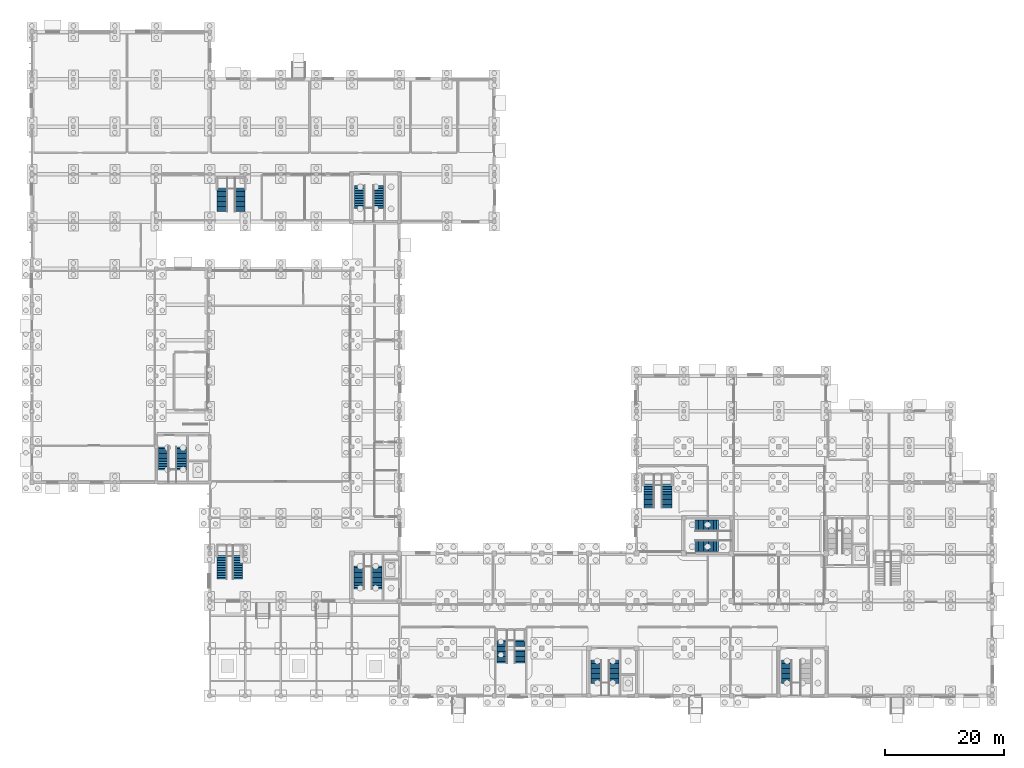
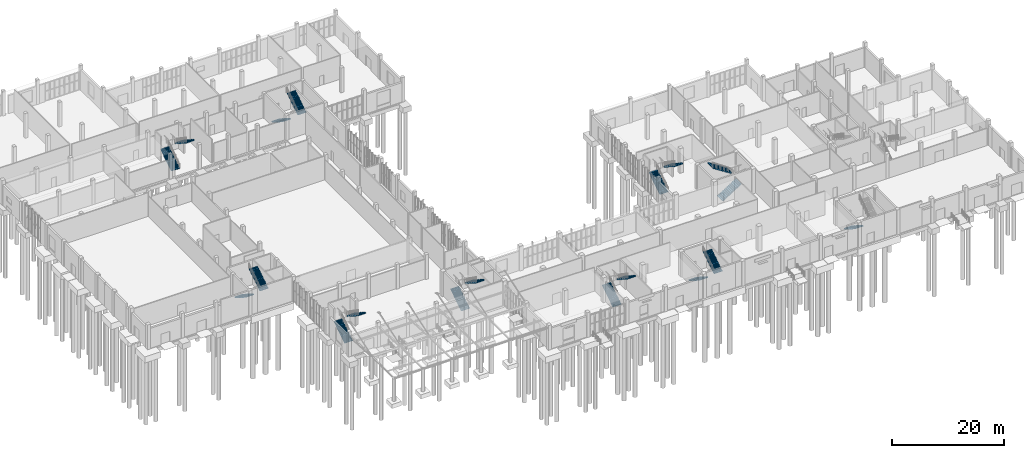
# One storey, part 52 of 69: 19 stair flights, 10 elements without a shape of their own.
"""IFC4 building model written with IfcOpenShell, lengths in metres."""

from ifc_helpers import new_model, si_unit, direction, frame, origin, place, context, subcontext, project, spatial, polyline, outline, extrude, material, type_object, element, aggregate, save


model = new_model("IFC4")

# Units and contexts
model_context = context("Model", 3, precision=1e-05, world=origin(), true_north=direction((0.0, 1.0)))
body_context = subcontext(model_context, "Body", "Model", "MODEL_VIEW")
ifc_project = project(units=[si_unit("LENGTHUNIT", "METRE"), si_unit("AREAUNIT", "SQUARE_METRE"), si_unit("VOLUMEUNIT", "CUBIC_METRE"), si_unit("PLANEANGLEUNIT", "RADIAN"), si_unit("MASSUNIT", "GRAM", prefix="KILO")], contexts=[model_context])

# Site, building, storey
site_placement = place(None, origin())
site = spatial("IfcSite", under=ifc_project, at=site_placement, CompositionType="ELEMENT")
building_placement = place(site_placement, origin())
building = spatial("IfcBuilding", under=site, at=building_placement, Name="Solvane Community Centre", CompositionType="ELEMENT")
storey_placement = place(building_placement, origin())
storey = spatial("IfcBuildingStorey", under=building, at=storey_placement, Name="L00", CompositionType="ELEMENT", Elevation=0.0)

# Stair, stair flights
ifc_material = material(Name="Concrete C35/45", Category="concrete")
stair_type_1 = type_object("IfcStairType", Name="RC Two-Flight Escape Stair 1640mm", PredefinedType="TWO_STRAIGHT_RUN_STAIR", material=ifc_material)
stair_1_placement = place(storey_placement, origin())
stair_1 = element("IfcStair", 1, at=stair_1_placement, inside=storey, type_object=stair_type_1, Name="Stair STR-FOY-L00", PredefinedType="TWO_STRAIGHT_RUN_STAIR")
stair_flight_type_1 = type_object("IfcStairFlightType", Name="RC Straight Stair Flight 1640mm", PredefinedType="STRAIGHT", material=ifc_material)
stair_flight_1_placement = place(storey_placement, frame((38.06005859375, 25.699951171875, 0.0), z_axis=(0.0, 0.0, 1.0), x_axis=(0.0, 1.0, 0.0)))
stair_flight_1 = element("IfcStairFlight", 2, at=stair_flight_1_placement, type_object=stair_flight_type_1, Name="ST-08 flight 1", NumberOfRisers=15, NumberOfTreads=14, PredefinedType="STRAIGHT", RiserHeight=0.18, TreadLength=0.28, context=body_context, shape_type="SweptSolid", body=[
    extrude(outline(polyline([(0.0, 0.0), (0.0, 0.179931640625), (0.280029296875, 0.179931640625), (0.280029296875, 0.360107421875), (0.56005859375, 0.360107421875), (0.56005859375, 0.5400390625), (0.840087890625, 0.5400390625), (0.840087890625, 0.719970703125), (1.1201171875, 0.719970703125), (1.1201171875, 0.89990234375), (1.39990234375, 0.89990234375), (1.39990234375, 1.080078125), (1.679931640625, 1.080078125), (1.679931640625, 1.260009765625), (1.9599609375, 1.260009765625), (1.9599609375, 1.43994140625), (2.239990234375, 1.43994140625), (2.239990234375, 1.6201171875), (2.52001953125, 1.6201171875), (2.52001953125, 1.800048828125), (2.800048828125, 1.800048828125), (2.800048828125, 1.97998046875), (3.080078125, 1.97998046875), (3.080078125, 2.159912109375), (3.360107421875, 2.159912109375), (3.360107421875, 2.340087890625), (3.639892578125, 2.340087890625), (3.639892578125, 2.52001953125), (3.919921875, 2.52001953125), (3.919921875, 2.699951171875), (3.919921875, 2.329833984375), (0.295654296875, 0.0), (0.0, 0.0)])), frame((0.0, 0.81982421875, 0.0), z_axis=(0.0, -1.0, 0.0), x_axis=(1.0, 0.0, 0.0)), (0.0, 0.0, 1.0), 1.639892578125),
])
stair_flight_2_placement = place(storey_placement, frame((40.739990234375, 29.6201171875, 2.699951171875), z_axis=(0.0, 0.0, 1.0), x_axis=(0.0, -1.0, 0.0)))
stair_flight_2 = element("IfcStairFlight", 3, at=stair_flight_2_placement, type_object=stair_flight_type_1, Name="ST-08 flight 2", NumberOfRisers=15, NumberOfTreads=14, PredefinedType="STRAIGHT", RiserHeight=0.18, TreadLength=0.28, context=body_context, shape_type="SweptSolid", body=[
    extrude(outline(polyline([(0.0, 0.0), (0.0, 0.179931640625), (0.280029296875, 0.179931640625), (0.280029296875, 0.360107421875), (0.56005859375, 0.360107421875), (0.56005859375, 0.5400390625), (0.840087890625, 0.5400390625), (0.840087890625, 0.719970703125), (1.1201171875, 0.719970703125), (1.1201171875, 0.89990234375), (1.39990234375, 0.89990234375), (1.39990234375, 1.080078125), (1.679931640625, 1.080078125), (1.679931640625, 1.260009765625), (1.9599609375, 1.260009765625), (1.9599609375, 1.43994140625), (2.239990234375, 1.43994140625), (2.239990234375, 1.6201171875), (2.52001953125, 1.6201171875), (2.52001953125, 1.800048828125), (2.800048828125, 1.800048828125), (2.800048828125, 1.97998046875), (3.080078125, 1.97998046875), (3.080078125, 2.159912109375), (3.360107421875, 2.159912109375), (3.360107421875, 2.340087890625), (3.639892578125, 2.340087890625), (3.639892578125, 2.52001953125), (3.919921875, 2.52001953125), (3.919921875, 2.699951171875), (3.919921875, 2.329833984375), (0.295654296875, 0.0), (0.0, 0.0)])), frame((0.0, 0.81982421875, 0.0), z_axis=(0.0, -1.0, 0.0), x_axis=(1.0, 0.0, 0.0)), (0.0, 0.0, 1.0), 1.639892578125),
])
aggregate(stair_1, [stair_flight_1, stair_flight_2])

stair_type_2 = type_object("IfcStairType", Name="RC Two-Flight Escape Stair 1720mm", PredefinedType="TWO_STRAIGHT_RUN_STAIR", material=ifc_material)
stair_2_placement = place(storey_placement, origin())
stair_2 = element("IfcStair", 4, at=stair_2_placement, inside=storey, type_object=stair_type_2, Name="Stair STR-C1-L00", PredefinedType="TWO_STRAIGHT_RUN_STAIR")
stair_flight_type_2 = type_object("IfcStairFlightType", Name="RC Straight Stair Flight 1720mm", PredefinedType="STRAIGHT", material=ifc_material)
stair_flight_3_placement = place(storey_placement, frame((61.199951171875, 24.0, 0.0), z_axis=(0.0, 0.0, 1.0), x_axis=(0.0, 1.0, 0.0)))
stair_flight_3 = element("IfcStairFlight", 5, at=stair_flight_3_placement, type_object=stair_flight_type_2, Name="ST-01 flight 1", NumberOfRisers=15, NumberOfTreads=14, PredefinedType="STRAIGHT", RiserHeight=0.18, TreadLength=0.28, context=body_context, shape_type="SweptSolid", body=[
    extrude(outline(polyline([(0.0, 0.0), (0.0, 0.179931640625), (0.280029296875, 0.179931640625), (0.280029296875, 0.360107421875), (0.56005859375, 0.360107421875), (0.56005859375, 0.5400390625), (0.840087890625, 0.5400390625), (0.840087890625, 0.719970703125), (1.1201171875, 0.719970703125), (1.1201171875, 0.89990234375), (1.39990234375, 0.89990234375), (1.39990234375, 1.080078125), (1.679931640625, 1.080078125), (1.679931640625, 1.260009765625), (1.9599609375, 1.260009765625), (1.9599609375, 1.43994140625), (2.239990234375, 1.43994140625), (2.239990234375, 1.6201171875), (2.52001953125, 1.6201171875), (2.52001953125, 1.800048828125), (2.800048828125, 1.800048828125), (2.800048828125, 1.97998046875), (3.080078125, 1.97998046875), (3.080078125, 2.159912109375), (3.360107421875, 2.159912109375), (3.360107421875, 2.340087890625), (3.639892578125, 2.340087890625), (3.639892578125, 2.52001953125), (3.919921875, 2.52001953125), (3.919921875, 2.699951171875), (3.919921875, 2.329833984375), (0.295654296875, 0.0), (0.0, 0.0)])), frame((0.0, 0.85986328125, 0.0), z_axis=(0.0, -1.0, 0.0), x_axis=(1.0, 0.0, 0.0)), (0.0, 0.0, 1.0), 1.719970703125),
])
stair_flight_4_placement = place(storey_placement, frame((64.199951171875, 27.919921875, 2.699951171875), z_axis=(0.0, 0.0, 1.0), x_axis=(0.0, -1.0, 0.0)))
stair_flight_4 = element("IfcStairFlight", 6, at=stair_flight_4_placement, type_object=stair_flight_type_2, Name="ST-01 flight 2", NumberOfRisers=15, NumberOfTreads=14, PredefinedType="STRAIGHT", RiserHeight=0.18, TreadLength=0.28, context=body_context, shape_type="SweptSolid", body=[
    extrude(outline(polyline([(0.0, 0.0), (0.0, 0.179931640625), (0.280029296875, 0.179931640625), (0.280029296875, 0.360107421875), (0.56005859375, 0.360107421875), (0.56005859375, 0.5400390625), (0.840087890625, 0.5400390625), (0.840087890625, 0.719970703125), (1.1201171875, 0.719970703125), (1.1201171875, 0.89990234375), (1.39990234375, 0.89990234375), (1.39990234375, 1.080078125), (1.679931640625, 1.080078125), (1.679931640625, 1.260009765625), (1.9599609375, 1.260009765625), (1.9599609375, 1.43994140625), (2.239990234375, 1.43994140625), (2.239990234375, 1.6201171875), (2.52001953125, 1.6201171875), (2.52001953125, 1.800048828125), (2.800048828125, 1.800048828125), (2.800048828125, 1.97998046875), (3.080078125, 1.97998046875), (3.080078125, 2.159912109375), (3.360107421875, 2.159912109375), (3.360107421875, 2.340087890625), (3.639892578125, 2.340087890625), (3.639892578125, 2.52001953125), (3.919921875, 2.52001953125), (3.919921875, 2.699951171875), (3.919921875, 2.329833984375), (0.295654296875, 0.0), (0.0, 0.0)])), frame((0.0, 0.85986328125, 0.0), z_axis=(0.0, -1.0, 0.0), x_axis=(1.0, 0.0, 0.0)), (0.0, 0.0, 1.0), 1.719970703125),
])
aggregate(stair_2, [stair_flight_3, stair_flight_4])

stair_3_placement = place(storey_placement, origin())
stair_3 = element("IfcStair", 7, at=stair_3_placement, inside=storey, type_object=stair_type_2, Name="Stair STR-C2-L00", PredefinedType="TWO_STRAIGHT_RUN_STAIR")
stair_flight_5_placement = place(storey_placement, frame((101.199951171875, 12.0, 0.0), z_axis=(0.0, 0.0, 1.0), x_axis=(0.0, -1.0, 0.0)))
stair_flight_5 = element("IfcStairFlight", 8, at=stair_flight_5_placement, type_object=stair_flight_type_2, Name="ST-02 flight 1", NumberOfRisers=15, NumberOfTreads=14, PredefinedType="STRAIGHT", RiserHeight=0.18, TreadLength=0.28, context=body_context, shape_type="SweptSolid", body=[
    extrude(outline(polyline([(0.0, 0.0), (0.0, 0.179931640625), (0.280029296875, 0.179931640625), (0.280029296875, 0.360107421875), (0.56005859375, 0.360107421875), (0.56005859375, 0.5400390625), (0.840087890625, 0.5400390625), (0.840087890625, 0.719970703125), (1.1201171875, 0.719970703125), (1.1201171875, 0.89990234375), (1.39990234375, 0.89990234375), (1.39990234375, 1.080078125), (1.679931640625, 1.080078125), (1.679931640625, 1.260009765625), (1.9599609375, 1.260009765625), (1.9599609375, 1.43994140625), (2.239990234375, 1.43994140625), (2.239990234375, 1.6201171875), (2.52001953125, 1.6201171875), (2.52001953125, 1.800048828125), (2.800048828125, 1.800048828125), (2.800048828125, 1.97998046875), (3.080078125, 1.97998046875), (3.080078125, 2.159912109375), (3.360107421875, 2.159912109375), (3.360107421875, 2.340087890625), (3.639892578125, 2.340087890625), (3.639892578125, 2.52001953125), (3.919921875, 2.52001953125), (3.919921875, 2.699951171875), (3.919921875, 2.329833984375), (0.295654296875, 0.0), (0.0, 0.0)])), frame((0.0, 0.85986328125, 0.0), z_axis=(0.0, -1.0, 0.0), x_axis=(1.0, 0.0, 0.0)), (0.0, 0.0, 1.0), 1.719970703125),
])
stair_flight_6_placement = place(storey_placement, frame((104.199951171875, 8.080078125, 2.699951171875), z_axis=(0.0, 0.0, 1.0), x_axis=(0.0, 1.0, 0.0)))
stair_flight_6 = element("IfcStairFlight", 9, at=stair_flight_6_placement, type_object=stair_flight_type_2, Name="ST-02 flight 2", NumberOfRisers=15, NumberOfTreads=14, PredefinedType="STRAIGHT", RiserHeight=0.18, TreadLength=0.28, context=body_context, shape_type="SweptSolid", body=[
    extrude(outline(polyline([(0.0, 0.0), (0.0, 0.179931640625), (0.280029296875, 0.179931640625), (0.280029296875, 0.360107421875), (0.56005859375, 0.360107421875), (0.56005859375, 0.5400390625), (0.840087890625, 0.5400390625), (0.840087890625, 0.719970703125), (1.1201171875, 0.719970703125), (1.1201171875, 0.89990234375), (1.39990234375, 0.89990234375), (1.39990234375, 1.080078125), (1.679931640625, 1.080078125), (1.679931640625, 1.260009765625), (1.9599609375, 1.260009765625), (1.9599609375, 1.43994140625), (2.239990234375, 1.43994140625), (2.239990234375, 1.6201171875), (2.52001953125, 1.6201171875), (2.52001953125, 1.800048828125), (2.800048828125, 1.800048828125), (2.800048828125, 1.97998046875), (3.080078125, 1.97998046875), (3.080078125, 2.159912109375), (3.360107421875, 2.159912109375), (3.360107421875, 2.340087890625), (3.639892578125, 2.340087890625), (3.639892578125, 2.52001953125), (3.919921875, 2.52001953125), (3.919921875, 2.699951171875), (3.919921875, 2.329833984375), (0.295654296875, 0.0), (0.0, 0.0)])), frame((0.0, 0.85986328125, 0.0), z_axis=(0.0, -1.0, 0.0), x_axis=(1.0, 0.0, 0.0)), (0.0, 0.0, 1.0), 1.719970703125),
])
aggregate(stair_3, [stair_flight_5, stair_flight_6])

# Stair, stair flight
stair_4_placement = place(storey_placement, origin())
stair_4 = element("IfcStair", 10, at=stair_4_placement, inside=storey, type_object=stair_type_2, Name="Stair STR-C3-L00", PredefinedType="TWO_STRAIGHT_RUN_STAIR")
stair_flight_7_placement = place(storey_placement, frame((133.300048828125, 12.0, 0.0), z_axis=(0.0, 0.0, 1.0), x_axis=(0.0, -1.0, 0.0)))
stair_flight_7 = element("IfcStairFlight", 11, at=stair_flight_7_placement, type_object=stair_flight_type_2, Name="ST-05 flight 1", NumberOfRisers=15, NumberOfTreads=14, PredefinedType="STRAIGHT", RiserHeight=0.18, TreadLength=0.28, context=body_context, shape_type="SweptSolid", body=[
    extrude(outline(polyline([(0.0, 0.0), (0.0, 0.179931640625), (0.280029296875, 0.179931640625), (0.280029296875, 0.360107421875), (0.56005859375, 0.360107421875), (0.56005859375, 0.5400390625), (0.840087890625, 0.5400390625), (0.840087890625, 0.719970703125), (1.1201171875, 0.719970703125), (1.1201171875, 0.89990234375), (1.39990234375, 0.89990234375), (1.39990234375, 1.080078125), (1.679931640625, 1.080078125), (1.679931640625, 1.260009765625), (1.9599609375, 1.260009765625), (1.9599609375, 1.43994140625), (2.239990234375, 1.43994140625), (2.239990234375, 1.6201171875), (2.52001953125, 1.6201171875), (2.52001953125, 1.800048828125), (2.800048828125, 1.800048828125), (2.800048828125, 1.97998046875), (3.080078125, 1.97998046875), (3.080078125, 2.159912109375), (3.360107421875, 2.159912109375), (3.360107421875, 2.340087890625), (3.639892578125, 2.340087890625), (3.639892578125, 2.52001953125), (3.919921875, 2.52001953125), (3.919921875, 2.699951171875), (3.919921875, 2.329833984375), (0.295654296875, 0.0), (0.0, 0.0)])), frame((0.0, 0.85986328125, 0.0), z_axis=(0.0, -1.0, 0.0), x_axis=(1.0, 0.0, 0.0)), (0.0, 0.0, 1.0), 1.719970703125),
])
aggregate(stair_4, [stair_flight_7])

# Stair, stair flights
stair_5_placement = place(storey_placement, origin())
stair_5 = element("IfcStair", 12, at=stair_5_placement, inside=storey, type_object=stair_type_2, Name="Stair STR-C5-L00", PredefinedType="TWO_STRAIGHT_RUN_STAIR")
stair_flight_8_placement = place(storey_placement, frame((28.199951171875, 48.0, 0.0), z_axis=(0.0, 0.0, 1.0), x_axis=(0.0, -1.0, 0.0)))
stair_flight_8 = element("IfcStairFlight", 13, at=stair_flight_8_placement, type_object=stair_flight_type_2, Name="ST-03 flight 1", NumberOfRisers=15, NumberOfTreads=14, PredefinedType="STRAIGHT", RiserHeight=0.18, TreadLength=0.28, context=body_context, shape_type="SweptSolid", body=[
    extrude(outline(polyline([(0.0, 0.0), (0.0, 0.179931640625), (0.280029296875, 0.179931640625), (0.280029296875, 0.360107421875), (0.56005859375, 0.360107421875), (0.56005859375, 0.5400390625), (0.840087890625, 0.5400390625), (0.840087890625, 0.719970703125), (1.1201171875, 0.719970703125), (1.1201171875, 0.89990234375), (1.39990234375, 0.89990234375), (1.39990234375, 1.080078125), (1.679931640625, 1.080078125), (1.679931640625, 1.260009765625), (1.9599609375, 1.260009765625), (1.9599609375, 1.43994140625), (2.239990234375, 1.43994140625), (2.239990234375, 1.6201171875), (2.52001953125, 1.6201171875), (2.52001953125, 1.800048828125), (2.800048828125, 1.800048828125), (2.800048828125, 1.97998046875), (3.080078125, 1.97998046875), (3.080078125, 2.159912109375), (3.360107421875, 2.159912109375), (3.360107421875, 2.340087890625), (3.639892578125, 2.340087890625), (3.639892578125, 2.52001953125), (3.919921875, 2.52001953125), (3.919921875, 2.699951171875), (3.919921875, 2.329833984375), (0.295654296875, 0.0), (0.0, 0.0)])), frame((0.0, 0.85986328125, 0.0), z_axis=(0.0, -1.0, 0.0), x_axis=(1.0, 0.0, 0.0)), (0.0, 0.0, 1.0), 1.719970703125),
])
stair_flight_9_placement = place(storey_placement, frame((31.199951171875, 44.080078125, 2.699951171875), z_axis=(0.0, 0.0, 1.0), x_axis=(0.0, 1.0, 0.0)))
stair_flight_9 = element("IfcStairFlight", 14, at=stair_flight_9_placement, type_object=stair_flight_type_2, Name="ST-03 flight 2", NumberOfRisers=15, NumberOfTreads=14, PredefinedType="STRAIGHT", RiserHeight=0.18, TreadLength=0.28, context=body_context, shape_type="SweptSolid", body=[
    extrude(outline(polyline([(0.0, 0.0), (0.0, 0.179931640625), (0.280029296875, 0.179931640625), (0.280029296875, 0.360107421875), (0.56005859375, 0.360107421875), (0.56005859375, 0.5400390625), (0.840087890625, 0.5400390625), (0.840087890625, 0.719970703125), (1.1201171875, 0.719970703125), (1.1201171875, 0.89990234375), (1.39990234375, 0.89990234375), (1.39990234375, 1.080078125), (1.679931640625, 1.080078125), (1.679931640625, 1.260009765625), (1.9599609375, 1.260009765625), (1.9599609375, 1.43994140625), (2.239990234375, 1.43994140625), (2.239990234375, 1.6201171875), (2.52001953125, 1.6201171875), (2.52001953125, 1.800048828125), (2.800048828125, 1.800048828125), (2.800048828125, 1.97998046875), (3.080078125, 1.97998046875), (3.080078125, 2.159912109375), (3.360107421875, 2.159912109375), (3.360107421875, 2.340087890625), (3.639892578125, 2.340087890625), (3.639892578125, 2.52001953125), (3.919921875, 2.52001953125), (3.919921875, 2.699951171875), (3.919921875, 2.329833984375), (0.295654296875, 0.0), (0.0, 0.0)])), frame((0.0, 0.85986328125, 0.0), z_axis=(0.0, -1.0, 0.0), x_axis=(1.0, 0.0, 0.0)), (0.0, 0.0, 1.0), 1.719970703125),
])
aggregate(stair_5, [stair_flight_8, stair_flight_9])

stair_6_placement = place(storey_placement, origin())
stair_6 = element("IfcStair", 15, at=stair_6_placement, inside=storey, type_object=stair_type_2, Name="Stair STR-C7-L00", PredefinedType="TWO_STRAIGHT_RUN_STAIR")
stair_flight_10_placement = place(storey_placement, frame((61.300048828125, 92.10009765625, 0.0), z_axis=(0.0, 0.0, 1.0), x_axis=(0.0, -1.0, 0.0)))
stair_flight_10 = element("IfcStairFlight", 16, at=stair_flight_10_placement, type_object=stair_flight_type_2, Name="ST-07 flight 1", NumberOfRisers=15, NumberOfTreads=14, PredefinedType="STRAIGHT", RiserHeight=0.18, TreadLength=0.28, context=body_context, shape_type="SweptSolid", body=[
    extrude(outline(polyline([(0.0, 0.0), (0.0, 0.179931640625), (0.280029296875, 0.179931640625), (0.280029296875, 0.360107421875), (0.56005859375, 0.360107421875), (0.56005859375, 0.5400390625), (0.840087890625, 0.5400390625), (0.840087890625, 0.719970703125), (1.1201171875, 0.719970703125), (1.1201171875, 0.89990234375), (1.39990234375, 0.89990234375), (1.39990234375, 1.080078125), (1.679931640625, 1.080078125), (1.679931640625, 1.260009765625), (1.9599609375, 1.260009765625), (1.9599609375, 1.43994140625), (2.239990234375, 1.43994140625), (2.239990234375, 1.6201171875), (2.52001953125, 1.6201171875), (2.52001953125, 1.800048828125), (2.800048828125, 1.800048828125), (2.800048828125, 1.97998046875), (3.080078125, 1.97998046875), (3.080078125, 2.159912109375), (3.360107421875, 2.159912109375), (3.360107421875, 2.340087890625), (3.639892578125, 2.340087890625), (3.639892578125, 2.52001953125), (3.919921875, 2.52001953125), (3.919921875, 2.699951171875), (3.919921875, 2.329833984375), (0.295654296875, 0.0), (0.0, 0.0)])), frame((0.0, 0.85986328125, 0.0), z_axis=(0.0, -1.0, 0.0), x_axis=(1.0, 0.0, 0.0)), (0.0, 0.0, 1.0), 1.719970703125),
])
stair_flight_11_placement = place(storey_placement, frame((64.5, 88.179931640625, 2.699951171875), z_axis=(0.0, 0.0, 1.0), x_axis=(0.0, 1.0, 0.0)))
stair_flight_11 = element("IfcStairFlight", 17, at=stair_flight_11_placement, type_object=stair_flight_type_2, Name="ST-07 flight 2", NumberOfRisers=15, NumberOfTreads=14, PredefinedType="STRAIGHT", RiserHeight=0.18, TreadLength=0.28, context=body_context, shape_type="SweptSolid", body=[
    extrude(outline(polyline([(0.0, 0.0), (0.0, 0.179931640625), (0.280029296875, 0.179931640625), (0.280029296875, 0.360107421875), (0.56005859375, 0.360107421875), (0.56005859375, 0.5400390625), (0.840087890625, 0.5400390625), (0.840087890625, 0.719970703125), (1.1201171875, 0.719970703125), (1.1201171875, 0.89990234375), (1.39990234375, 0.89990234375), (1.39990234375, 1.080078125), (1.679931640625, 1.080078125), (1.679931640625, 1.260009765625), (1.9599609375, 1.260009765625), (1.9599609375, 1.43994140625), (2.239990234375, 1.43994140625), (2.239990234375, 1.6201171875), (2.52001953125, 1.6201171875), (2.52001953125, 1.800048828125), (2.800048828125, 1.800048828125), (2.800048828125, 1.97998046875), (3.080078125, 1.97998046875), (3.080078125, 2.159912109375), (3.360107421875, 2.159912109375), (3.360107421875, 2.340087890625), (3.639892578125, 2.340087890625), (3.639892578125, 2.52001953125), (3.919921875, 2.52001953125), (3.919921875, 2.699951171875), (3.919921875, 2.329833984375), (0.295654296875, 0.0), (0.0, 0.0)])), frame((0.0, 0.85986328125, 0.0), z_axis=(0.0, -1.0, 0.0), x_axis=(1.0, 0.0, 0.0)), (0.0, 0.0, 1.0), 1.719970703125),
])
aggregate(stair_6, [stair_flight_10, stair_flight_11])

stair_7_placement = place(storey_placement, origin())
stair_7 = element("IfcStair", 18, at=stair_7_placement, inside=storey, type_object=stair_type_2, Name="Stair STR-LIB-L00", PredefinedType="TWO_STRAIGHT_RUN_STAIR")
stair_flight_12_placement = place(storey_placement, frame((85.300048828125, 11.5, 0.0), z_axis=(0.0, 0.0, 1.0), x_axis=(0.0, 1.0, 0.0)))
stair_flight_12 = element("IfcStairFlight", 19, at=stair_flight_12_placement, type_object=stair_flight_type_2, Name="ST-09 flight 1", NumberOfRisers=15, NumberOfTreads=14, PredefinedType="STRAIGHT", RiserHeight=0.18, TreadLength=0.28, context=body_context, shape_type="SweptSolid", body=[
    extrude(outline(polyline([(0.0, 0.0), (0.0, 0.179931640625), (0.280029296875, 0.179931640625), (0.280029296875, 0.360107421875), (0.56005859375, 0.360107421875), (0.56005859375, 0.5400390625), (0.840087890625, 0.5400390625), (0.840087890625, 0.719970703125), (1.1201171875, 0.719970703125), (1.1201171875, 0.89990234375), (1.39990234375, 0.89990234375), (1.39990234375, 1.080078125), (1.679931640625, 1.080078125), (1.679931640625, 1.260009765625), (1.9599609375, 1.260009765625), (1.9599609375, 1.43994140625), (2.239990234375, 1.43994140625), (2.239990234375, 1.6201171875), (2.52001953125, 1.6201171875), (2.52001953125, 1.800048828125), (2.800048828125, 1.800048828125), (2.800048828125, 1.97998046875), (3.080078125, 1.97998046875), (3.080078125, 2.159912109375), (3.360107421875, 2.159912109375), (3.360107421875, 2.340087890625), (3.639892578125, 2.340087890625), (3.639892578125, 2.52001953125), (3.919921875, 2.52001953125), (3.919921875, 2.699951171875), (3.919921875, 2.329833984375), (0.295654296875, 0.0), (0.0, 0.0)])), frame((0.0, 0.85986328125, 0.0), z_axis=(0.0, -1.0, 0.0), x_axis=(1.0, 0.0, 0.0)), (0.0, 0.0, 1.0), 1.719970703125),
])
stair_flight_13_placement = place(storey_placement, frame((88.300048828125, 15.419921875, 2.699951171875), z_axis=(0.0, 0.0, 1.0), x_axis=(0.0, -1.0, 0.0)))
stair_flight_13 = element("IfcStairFlight", 20, at=stair_flight_13_placement, type_object=stair_flight_type_2, Name="ST-09 flight 2", NumberOfRisers=15, NumberOfTreads=14, PredefinedType="STRAIGHT", RiserHeight=0.18, TreadLength=0.28, context=body_context, shape_type="SweptSolid", body=[
    extrude(outline(polyline([(0.0, 0.0), (0.0, 0.179931640625), (0.280029296875, 0.179931640625), (0.280029296875, 0.360107421875), (0.56005859375, 0.360107421875), (0.56005859375, 0.5400390625), (0.840087890625, 0.5400390625), (0.840087890625, 0.719970703125), (1.1201171875, 0.719970703125), (1.1201171875, 0.89990234375), (1.39990234375, 0.89990234375), (1.39990234375, 1.080078125), (1.679931640625, 1.080078125), (1.679931640625, 1.260009765625), (1.9599609375, 1.260009765625), (1.9599609375, 1.43994140625), (2.239990234375, 1.43994140625), (2.239990234375, 1.6201171875), (2.52001953125, 1.6201171875), (2.52001953125, 1.800048828125), (2.800048828125, 1.800048828125), (2.800048828125, 1.97998046875), (3.080078125, 1.97998046875), (3.080078125, 2.159912109375), (3.360107421875, 2.159912109375), (3.360107421875, 2.340087890625), (3.639892578125, 2.340087890625), (3.639892578125, 2.52001953125), (3.919921875, 2.52001953125), (3.919921875, 2.699951171875), (3.919921875, 2.329833984375), (0.295654296875, 0.0), (0.0, 0.0)])), frame((0.0, 0.85986328125, 0.0), z_axis=(0.0, -1.0, 0.0), x_axis=(1.0, 0.0, 0.0)), (0.0, 0.0, 1.0), 1.719970703125),
])
aggregate(stair_7, [stair_flight_12, stair_flight_13])

stair_8_placement = place(storey_placement, origin())
stair_8 = element("IfcStair", 21, at=stair_8_placement, inside=storey, type_object=stair_type_2, Name="Stair STR-CRT-L00", PredefinedType="TWO_STRAIGHT_RUN_STAIR")
stair_flight_14_placement = place(storey_placement, frame((110.10009765625, 37.699951171875, 0.0), z_axis=(0.0, 0.0, 1.0), x_axis=(0.0, 1.0, 0.0)))
stair_flight_14 = element("IfcStairFlight", 22, at=stair_flight_14_placement, type_object=stair_flight_type_2, Name="ST-11 flight 1", NumberOfRisers=15, NumberOfTreads=14, PredefinedType="STRAIGHT", RiserHeight=0.18, TreadLength=0.28, context=body_context, shape_type="SweptSolid", body=[
    extrude(outline(polyline([(0.0, 0.0), (0.0, 0.179931640625), (0.280029296875, 0.179931640625), (0.280029296875, 0.360107421875), (0.56005859375, 0.360107421875), (0.56005859375, 0.5400390625), (0.840087890625, 0.5400390625), (0.840087890625, 0.719970703125), (1.1201171875, 0.719970703125), (1.1201171875, 0.89990234375), (1.39990234375, 0.89990234375), (1.39990234375, 1.080078125), (1.679931640625, 1.080078125), (1.679931640625, 1.260009765625), (1.9599609375, 1.260009765625), (1.9599609375, 1.43994140625), (2.239990234375, 1.43994140625), (2.239990234375, 1.6201171875), (2.52001953125, 1.6201171875), (2.52001953125, 1.800048828125), (2.800048828125, 1.800048828125), (2.800048828125, 1.97998046875), (3.080078125, 1.97998046875), (3.080078125, 2.159912109375), (3.360107421875, 2.159912109375), (3.360107421875, 2.340087890625), (3.639892578125, 2.340087890625), (3.639892578125, 2.52001953125), (3.919921875, 2.52001953125), (3.919921875, 2.699951171875), (3.919921875, 2.329833984375), (0.295654296875, 0.0), (0.0, 0.0)])), frame((0.0, 0.85986328125, 0.0), z_axis=(0.0, -1.0, 0.0), x_axis=(1.0, 0.0, 0.0)), (0.0, 0.0, 1.0), 1.719970703125),
])
stair_flight_15_placement = place(storey_placement, frame((113.10009765625, 41.6201171875, 2.699951171875), z_axis=(0.0, 0.0, 1.0), x_axis=(0.0, -1.0, 0.0)))
stair_flight_15 = element("IfcStairFlight", 23, at=stair_flight_15_placement, type_object=stair_flight_type_2, Name="ST-11 flight 2", NumberOfRisers=15, NumberOfTreads=14, PredefinedType="STRAIGHT", RiserHeight=0.18, TreadLength=0.28, context=body_context, shape_type="SweptSolid", body=[
    extrude(outline(polyline([(0.0, 0.0), (0.0, 0.179931640625), (0.280029296875, 0.179931640625), (0.280029296875, 0.360107421875), (0.56005859375, 0.360107421875), (0.56005859375, 0.5400390625), (0.840087890625, 0.5400390625), (0.840087890625, 0.719970703125), (1.1201171875, 0.719970703125), (1.1201171875, 0.89990234375), (1.39990234375, 0.89990234375), (1.39990234375, 1.080078125), (1.679931640625, 1.080078125), (1.679931640625, 1.260009765625), (1.9599609375, 1.260009765625), (1.9599609375, 1.43994140625), (2.239990234375, 1.43994140625), (2.239990234375, 1.6201171875), (2.52001953125, 1.6201171875), (2.52001953125, 1.800048828125), (2.800048828125, 1.800048828125), (2.800048828125, 1.97998046875), (3.080078125, 1.97998046875), (3.080078125, 2.159912109375), (3.360107421875, 2.159912109375), (3.360107421875, 2.340087890625), (3.639892578125, 2.340087890625), (3.639892578125, 2.52001953125), (3.919921875, 2.52001953125), (3.919921875, 2.699951171875), (3.919921875, 2.329833984375), (0.295654296875, 0.0), (0.0, 0.0)])), frame((0.0, 0.85986328125, 0.0), z_axis=(0.0, -1.0, 0.0), x_axis=(1.0, 0.0, 0.0)), (0.0, 0.0, 1.0), 1.719970703125),
])
aggregate(stair_8, [stair_flight_14, stair_flight_15])

stair_9_placement = place(storey_placement, origin())
stair_9 = element("IfcStair", 24, at=stair_9_placement, inside=storey, type_object=stair_type_2, Name="Stair STR-NUR-L00", PredefinedType="TWO_STRAIGHT_RUN_STAIR")
stair_flight_16_placement = place(storey_placement, frame((38.10009765625, 87.699951171875, 0.0), z_axis=(0.0, 0.0, 1.0), x_axis=(0.0, 1.0, 0.0)))
stair_flight_16 = element("IfcStairFlight", 25, at=stair_flight_16_placement, type_object=stair_flight_type_2, Name="ST-12 flight 1", NumberOfRisers=15, NumberOfTreads=14, PredefinedType="STRAIGHT", RiserHeight=0.18, TreadLength=0.28, context=body_context, shape_type="SweptSolid", body=[
    extrude(outline(polyline([(0.0, 0.0), (0.0, 0.179931640625), (0.280029296875, 0.179931640625), (0.280029296875, 0.360107421875), (0.56005859375, 0.360107421875), (0.56005859375, 0.5400390625), (0.840087890625, 0.5400390625), (0.840087890625, 0.719970703125), (1.1201171875, 0.719970703125), (1.1201171875, 0.89990234375), (1.39990234375, 0.89990234375), (1.39990234375, 1.080078125), (1.679931640625, 1.080078125), (1.679931640625, 1.260009765625), (1.9599609375, 1.260009765625), (1.9599609375, 1.43994140625), (2.239990234375, 1.43994140625), (2.239990234375, 1.6201171875), (2.52001953125, 1.6201171875), (2.52001953125, 1.800048828125), (2.800048828125, 1.800048828125), (2.800048828125, 1.97998046875), (3.080078125, 1.97998046875), (3.080078125, 2.159912109375), (3.360107421875, 2.159912109375), (3.360107421875, 2.340087890625), (3.639892578125, 2.340087890625), (3.639892578125, 2.52001953125), (3.919921875, 2.52001953125), (3.919921875, 2.699951171875), (3.919921875, 2.329833984375), (0.295654296875, 0.0), (0.0, 0.0)])), frame((0.0, 0.85986328125, 0.0), z_axis=(0.0, -1.0, 0.0), x_axis=(1.0, 0.0, 0.0)), (0.0, 0.0, 1.0), 1.719970703125),
])
stair_flight_17_placement = place(storey_placement, frame((41.10009765625, 91.6201171875, 2.699951171875), z_axis=(0.0, 0.0, 1.0), x_axis=(0.0, -1.0, 0.0)))
stair_flight_17 = element("IfcStairFlight", 26, at=stair_flight_17_placement, type_object=stair_flight_type_2, Name="ST-12 flight 2", NumberOfRisers=15, NumberOfTreads=14, PredefinedType="STRAIGHT", RiserHeight=0.18, TreadLength=0.28, context=body_context, shape_type="SweptSolid", body=[
    extrude(outline(polyline([(0.0, 0.0), (0.0, 0.179931640625), (0.280029296875, 0.179931640625), (0.280029296875, 0.360107421875), (0.56005859375, 0.360107421875), (0.56005859375, 0.5400390625), (0.840087890625, 0.5400390625), (0.840087890625, 0.719970703125), (1.1201171875, 0.719970703125), (1.1201171875, 0.89990234375), (1.39990234375, 0.89990234375), (1.39990234375, 1.080078125), (1.679931640625, 1.080078125), (1.679931640625, 1.260009765625), (1.9599609375, 1.260009765625), (1.9599609375, 1.43994140625), (2.239990234375, 1.43994140625), (2.239990234375, 1.6201171875), (2.52001953125, 1.6201171875), (2.52001953125, 1.800048828125), (2.800048828125, 1.800048828125), (2.800048828125, 1.97998046875), (3.080078125, 1.97998046875), (3.080078125, 2.159912109375), (3.360107421875, 2.159912109375), (3.360107421875, 2.340087890625), (3.639892578125, 2.340087890625), (3.639892578125, 2.52001953125), (3.919921875, 2.52001953125), (3.919921875, 2.699951171875), (3.919921875, 2.329833984375), (0.295654296875, 0.0), (0.0, 0.0)])), frame((0.0, 0.85986328125, 0.0), z_axis=(0.0, -1.0, 0.0), x_axis=(1.0, 0.0, 0.0)), (0.0, 0.0, 1.0), 1.719970703125),
])
aggregate(stair_9, [stair_flight_16, stair_flight_17])

stair_type_3 = type_object("IfcStairType", Name="RC Two-Flight Escape Stair 1880mm", PredefinedType="TWO_STRAIGHT_RUN_STAIR", material=ifc_material)
stair_10_placement = place(storey_placement, origin())
stair_10 = element("IfcStair", 27, at=stair_10_placement, inside=storey, type_object=stair_type_3, Name="Stair STR-C4-L00", PredefinedType="TWO_STRAIGHT_RUN_STAIR")
stair_flight_type_3 = type_object("IfcStairFlightType", Name="RC Straight Stair Flight 1880mm", PredefinedType="STRAIGHT", material=ifc_material)
stair_flight_18_placement = place(storey_placement, frame((117.89990234375, 31.280029296875, 0.0), z_axis=(0.0, 0.0, 1.0), x_axis=(1.0, 0.0, 0.0)))
stair_flight_18 = element("IfcStairFlight", 28, at=stair_flight_18_placement, type_object=stair_flight_type_3, Name="ST-06 flight 1", NumberOfRisers=15, NumberOfTreads=14, PredefinedType="STRAIGHT", RiserHeight=0.18, TreadLength=0.28, context=body_context, shape_type="SweptSolid", body=[
    extrude(outline(polyline([(0.0, 0.0), (0.0, 0.179931640625), (0.280029296875, 0.179931640625), (0.280029296875, 0.360107421875), (0.56005859375, 0.360107421875), (0.56005859375, 0.5400390625), (0.840087890625, 0.5400390625), (0.840087890625, 0.719970703125), (1.1201171875, 0.719970703125), (1.1201171875, 0.89990234375), (1.39990234375, 0.89990234375), (1.39990234375, 1.080078125), (1.679931640625, 1.080078125), (1.679931640625, 1.260009765625), (1.9599609375, 1.260009765625), (1.9599609375, 1.43994140625), (2.239990234375, 1.43994140625), (2.239990234375, 1.6201171875), (2.52001953125, 1.6201171875), (2.52001953125, 1.800048828125), (2.800048828125, 1.800048828125), (2.800048828125, 1.97998046875), (3.080078125, 1.97998046875), (3.080078125, 2.159912109375), (3.360107421875, 2.159912109375), (3.360107421875, 2.340087890625), (3.639892578125, 2.340087890625), (3.639892578125, 2.52001953125), (3.919921875, 2.52001953125), (3.919921875, 2.699951171875), (3.919921875, 2.329833984375), (0.295654296875, 0.0), (0.0, 0.0)])), frame((0.0, 0.93994140625, 0.0), z_axis=(0.0, -1.0, 0.0), x_axis=(1.0, 0.0, 0.0)), (0.0, 0.0, 1.0), 1.8798828125),
])
stair_flight_19_placement = place(storey_placement, frame((121.820068359375, 34.719970703125, 2.699951171875), z_axis=(0.0, 0.0, 1.0), x_axis=(-1.0, 0.0, 0.0)))
stair_flight_19 = element("IfcStairFlight", 29, at=stair_flight_19_placement, type_object=stair_flight_type_3, Name="ST-06 flight 2", NumberOfRisers=15, NumberOfTreads=14, PredefinedType="STRAIGHT", RiserHeight=0.18, TreadLength=0.28, context=body_context, shape_type="SweptSolid", body=[
    extrude(outline(polyline([(0.0, 0.0), (0.0, 0.179931640625), (0.280029296875, 0.179931640625), (0.280029296875, 0.360107421875), (0.56005859375, 0.360107421875), (0.56005859375, 0.5400390625), (0.840087890625, 0.5400390625), (0.840087890625, 0.719970703125), (1.1201171875, 0.719970703125), (1.1201171875, 0.89990234375), (1.39990234375, 0.89990234375), (1.39990234375, 1.080078125), (1.679931640625, 1.080078125), (1.679931640625, 1.260009765625), (1.9599609375, 1.260009765625), (1.9599609375, 1.43994140625), (2.239990234375, 1.43994140625), (2.239990234375, 1.6201171875), (2.52001953125, 1.6201171875), (2.52001953125, 1.800048828125), (2.800048828125, 1.800048828125), (2.800048828125, 1.97998046875), (3.080078125, 1.97998046875), (3.080078125, 2.159912109375), (3.360107421875, 2.159912109375), (3.360107421875, 2.340087890625), (3.639892578125, 2.340087890625), (3.639892578125, 2.52001953125), (3.919921875, 2.52001953125), (3.919921875, 2.699951171875), (3.919921875, 2.329833984375), (0.295654296875, 0.0), (0.0, 0.0)])), frame((0.0, 0.93994140625, 0.0), z_axis=(0.0, -1.0, 0.0), x_axis=(1.0, 0.0, 0.0)), (0.0, 0.0, 1.0), 1.8798828125),
])
aggregate(stair_10, [stair_flight_18, stair_flight_19])

save(model, "model.ifc")
